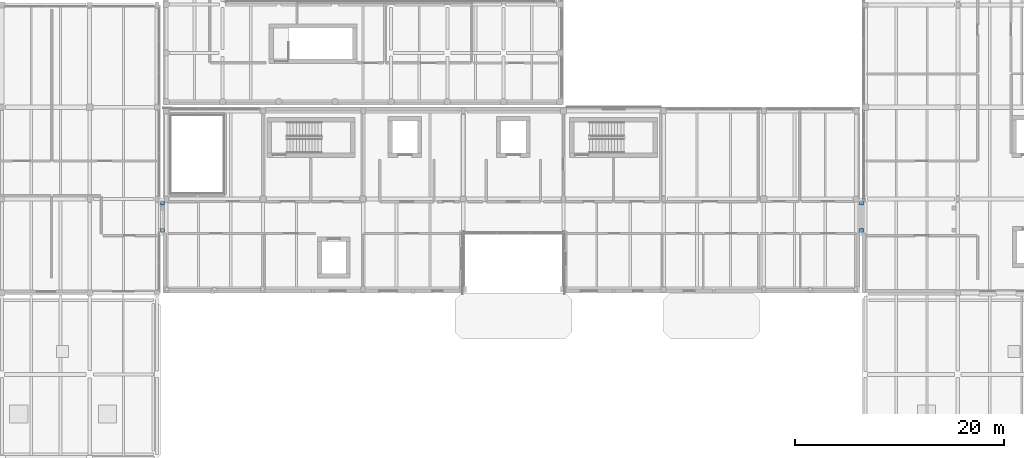
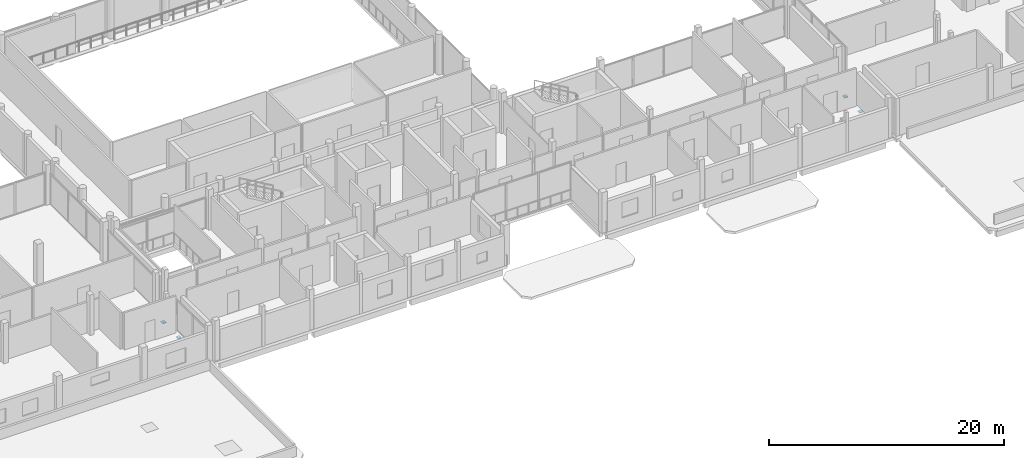
# One storey, part 51 of 66: 4 discrete accessories.
"""IFC4 building model written with IfcOpenShell, lengths in metres."""

from ifc_helpers import new_model, si_unit, direction, frame, origin, origin_2d, place, context, subcontext, project, spatial, rectangle, extrude, material, layer, layer_set, type_object, element, save


model = new_model("IFC4")

# Units and contexts
model_context = context("Model", 3, precision=1e-05, world=origin(), true_north=direction((0.0, 1.0)))
body_context = subcontext(model_context, "Body", "Model", "MODEL_VIEW")
ifc_project = project(units=[si_unit("LENGTHUNIT", "METRE"), si_unit("AREAUNIT", "SQUARE_METRE"), si_unit("VOLUMEUNIT", "CUBIC_METRE"), si_unit("PLANEANGLEUNIT", "RADIAN"), si_unit("MASSUNIT", "GRAM", prefix="KILO")], contexts=[model_context])

# Site, building, storey
site_placement = place(None, origin())
site = spatial("IfcSite", under=ifc_project, at=site_placement, CompositionType="ELEMENT")
building_placement = place(site_placement, origin())
building = spatial("IfcBuilding", under=site, at=building_placement, Name="Birchvale Park Specialist Clinic", CompositionType="ELEMENT")
storey_placement = place(building_placement, frame((0.0, 0.0, 5.39990234375)))
storey = spatial("IfcBuildingStorey", under=building, at=storey_placement, Name="L01", CompositionType="ELEMENT", Elevation=5.39990234375)

# Discrete accessories
ifc_material = material(Name="PTFE-elastomeric bearing assembly")
ifc_layer = layer(ifc_material, 0.080078125)
ifc_layer_set = layer_set([ifc_layer], Name="PTFE-elastomeric bearing assembly")
discrete_accessory_type = type_object("IfcDiscreteAccessoryType", Name="ACC-SB-1", PredefinedType="SHOE", material=ifc_layer_set)
for number, where, z_axis, x_axis, name in (
    (1, (51.77001953125, 22.800048828125, -1.056884765625), (0.0, 0.0, 1.0), (1.0, 0.0, 0.0), "PTFE-elastomeric sliding bearing SB-1 (BRG-1 L01 #1)"),
    (2, (51.77001953125, 25.39990234375, -1.056884765625), (0.0, 0.0, 1.0), (1.0, 0.0, 0.0), "PTFE-elastomeric sliding bearing SB-1 (BRG-1 L01 #2)"),
    (3, (118.77001953125, 22.800048828125, -1.056884765625), (0.0, 0.0, 1.0), (1.0, 0.0, 0.0), "PTFE-elastomeric sliding bearing SB-1 (BRG-2 L01 #1)"),
    (4, (118.77001953125, 25.39990234375, -1.056884765625), (0.0, 0.0, 1.0), (1.0, 0.0, 0.0), "PTFE-elastomeric sliding bearing SB-1 (BRG-2 L01 #2)"),
):
    element("IfcDiscreteAccessory", number, at=place(storey_placement, frame(where, z_axis=z_axis, x_axis=x_axis)), inside=storey, type_object=discrete_accessory_type, Name=name, PredefinedType="SHOE", context=body_context, shape_type="SweptSolid", body=[
        extrude(rectangle(XDim=0.360107421875, YDim=0.360107421875, at=origin_2d()), origin(), (0.0, 0.0, 1.0), 0.080078125),
    ])

save(model, "model.ifc")
